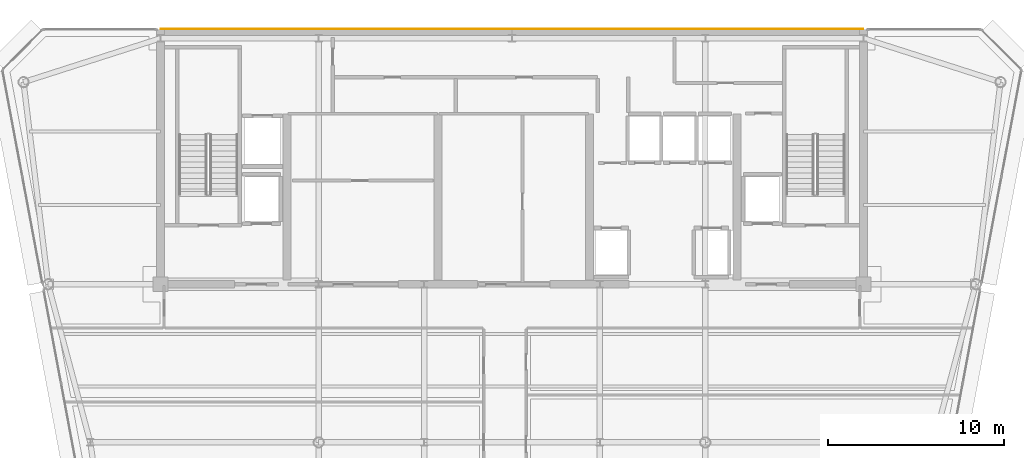
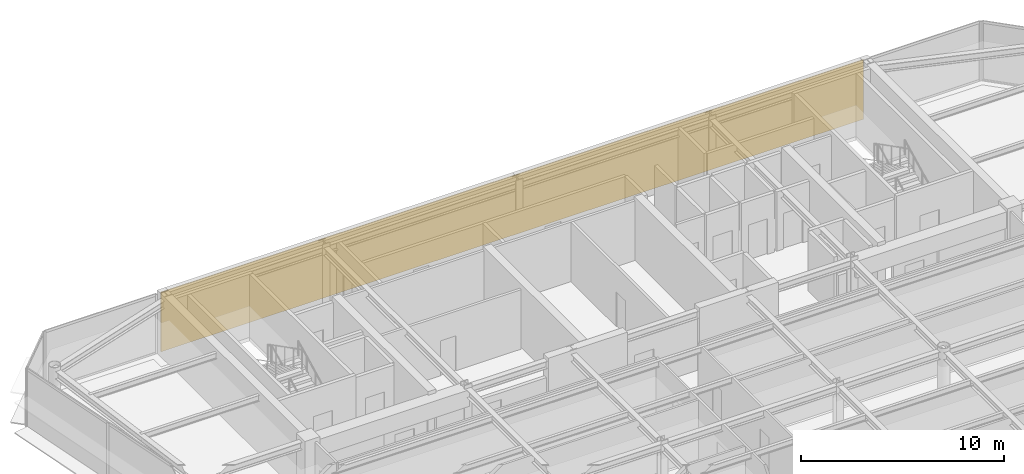
# One storey, part 19 of 20: 1 covering.
"""IFC4 building model written with IfcOpenShell, lengths in metres."""

from ifc_helpers import new_model, si_unit, direction, frame, origin, place, context, subcontext, project, spatial, polyline, outline, extrude, material, layer, layer_set, type_object, element, save


model = new_model("IFC4")

# Units and contexts
model_context = context("Model", 3, precision=1e-05, world=origin(), true_north=direction((0.0, 1.0)))
body_context = subcontext(model_context, "Body", "Model", "MODEL_VIEW")
ifc_project = project(units=[si_unit("LENGTHUNIT", "METRE"), si_unit("AREAUNIT", "SQUARE_METRE"), si_unit("VOLUMEUNIT", "CUBIC_METRE"), si_unit("PLANEANGLEUNIT", "RADIAN"), si_unit("MASSUNIT", "GRAM", prefix="KILO")], contexts=[model_context])

# Site, building, storey
site_placement = place(None, origin())
site = spatial("IfcSite", under=ifc_project, at=site_placement, CompositionType="ELEMENT")
building_placement = place(site_placement, origin())
building = spatial("IfcBuilding", under=site, at=building_placement, Name="Vaeldorn Concourse Tower", CompositionType="ELEMENT")
storey_placement = place(building_placement, frame((0.0, 0.0, 291.60009765625)))
storey = spatial("IfcBuildingStorey", under=building, at=storey_placement, Name="L75", CompositionType="ELEMENT", Elevation=291.60009765625)

# Covering
ifc_material = material(Name="Anodised Bronze Aluminium", Category="aluminium")
ifc_layer = layer(ifc_material, 0.050048828125)
ifc_layer_set = layer_set([ifc_layer], Name="Anodised Bronze Aluminium")
covering_type = type_object("IfcCoveringType", Name="COV-CLAD-BRONZE", PredefinedType="CLADDING", material=ifc_layer_set)
covering_placement = place(storey_placement, origin())
element("IfcCovering", 1, at=covering_placement, inside=storey, type_object=covering_type, Name="Rear Core Bronze Spandrel Cladding L75", PredefinedType="CLADDING", context=body_context, shape_type="SweptSolid", body=[
    extrude(outline(polyline([(14.0, 51.0), (54.0, 51.0), (54.0, 51.050048828125), (14.0, 51.050048828125), (14.0, 51.0)])), origin(), (0.0, 0.0, 1.0), 3.579833984375),
])

save(model, "model.ifc")
